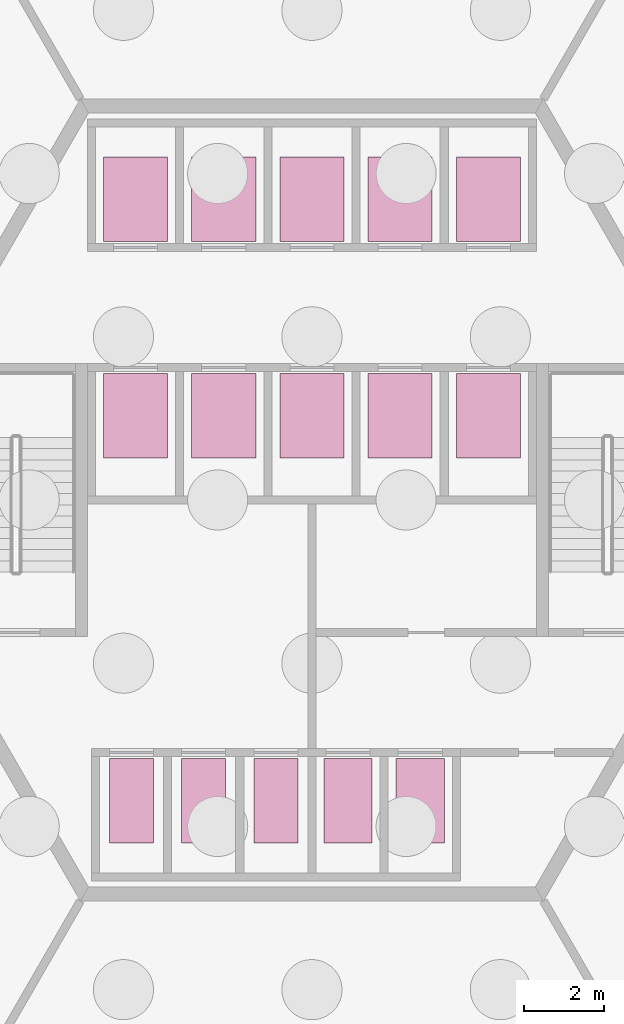
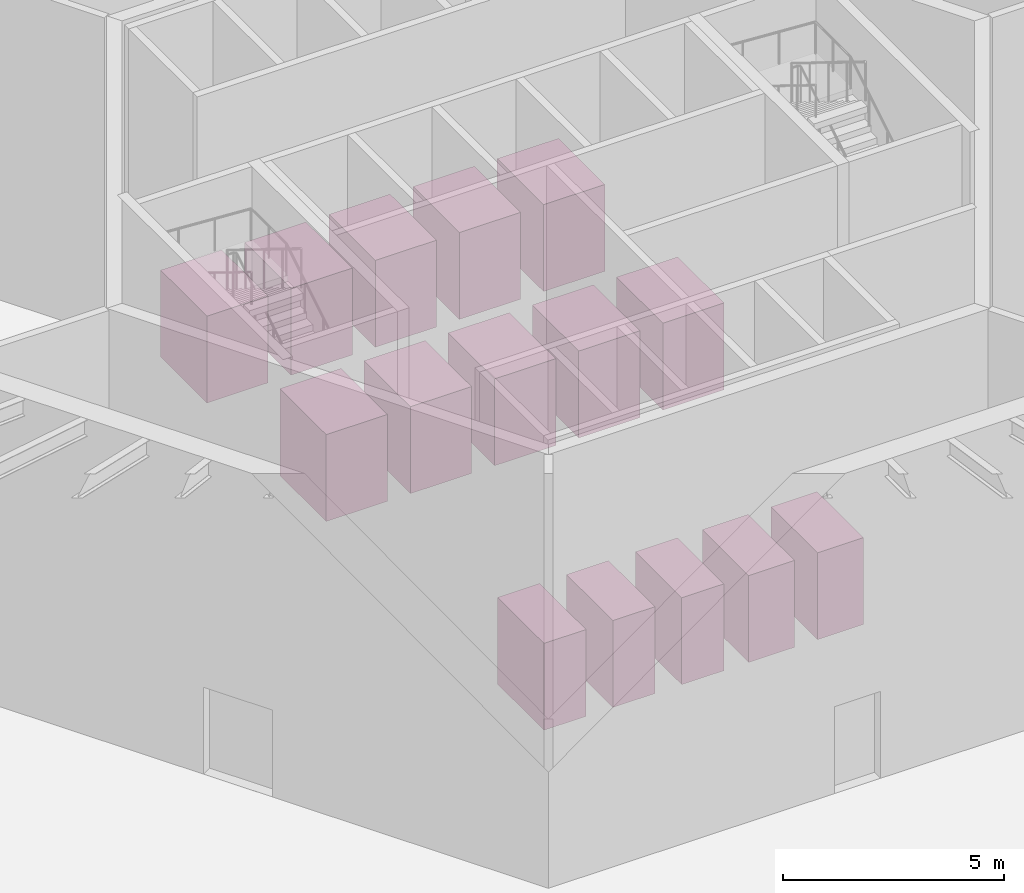
# One storey, part 43 of 43: 15 transport elements.
"""IFC4 building model written with IfcOpenShell, lengths in metres."""

from ifc_helpers import new_model, si_unit, direction, frame, origin, origin_2d, place, context, subcontext, project, spatial, rectangle, extrude, material, type_object, element, save


model = new_model("IFC4")

# Units and contexts
model_context = context("Model", 3, precision=1e-05, world=origin(), true_north=direction((0.0, 1.0)))
body_context = subcontext(model_context, "Body", "Model", "MODEL_VIEW")
ifc_project = project(units=[si_unit("LENGTHUNIT", "METRE"), si_unit("AREAUNIT", "SQUARE_METRE"), si_unit("VOLUMEUNIT", "CUBIC_METRE"), si_unit("PLANEANGLEUNIT", "RADIAN"), si_unit("MASSUNIT", "GRAM", prefix="KILO")], contexts=[model_context])

# Site, building, storey
site_placement = place(None, origin())
site = spatial("IfcSite", under=ifc_project, at=site_placement, CompositionType="ELEMENT")
building_placement = place(site_placement, origin())
building = spatial("IfcBuilding", under=site, at=building_placement, Name="Tarnside Tower", CompositionType="ELEMENT")
storey_placement = place(building_placement, origin())
storey = spatial("IfcBuildingStorey", under=building, at=storey_placement, Name="L00", CompositionType="ELEMENT", Elevation=0.0)

# Transport elements
ifc_material = material(Name="Stainless steel", Category="steel")
transport_element_type_1 = type_object("IfcTransportElementType", Name="Firefighting lift car 1100x2100 1000 kg", PredefinedType="ELEVATOR", material=ifc_material)
for number, where, z_axis, x_axis, name in (
    (1, (-4.5, -7.5, 0.0), (0.0, 0.0, 1.0), (1.0, 0.0, 0.0), "Firefighting lift 1"),
    (2, (-2.699951171875, -7.5, 0.0), (0.0, 0.0, 1.0), (1.0, 0.0, 0.0), "Firefighting lift 2"),
    (3, (-0.89990234375, -7.5, 0.0), (0.0, 0.0, 1.0), (1.0, 0.0, 0.0), "Firefighting lift 3"),
):
    element("IfcTransportElement", number, at=place(storey_placement, frame(where, z_axis=z_axis, x_axis=x_axis)), inside=storey, type_object=transport_element_type_1, Name=name, PredefinedType="ELEVATOR", context=body_context, shape_type="SweptSolid", body=[
        extrude(rectangle(XDim=1.10009765625, YDim=2.10009765625, at=origin_2d()), origin(), (0.0, 0.0, 1.0), 2.39990234375),
    ])
transport_element_type_2 = type_object("IfcTransportElementType", Name="Firefighting lift car 1200x2100 1000 kg", PredefinedType="ELEVATOR", material=ifc_material)
for number, where, z_axis, x_axis, name in (
    (4, (0.89990234375, -7.5, 0.0), (0.0, 0.0, 1.0), (1.0, 0.0, 0.0), "Firefighting lift 4"),
    (5, (2.699951171875, -7.5, 0.0), (0.0, 0.0, 1.0), (1.0, 0.0, 0.0), "Firefighting lift 5"),
):
    element("IfcTransportElement", number, at=place(storey_placement, frame(where, z_axis=z_axis, x_axis=x_axis)), inside=storey, type_object=transport_element_type_2, Name=name, PredefinedType="ELEVATOR", context=body_context, shape_type="SweptSolid", body=[
        extrude(rectangle(XDim=1.199951171875, YDim=2.10009765625, at=origin_2d()), origin(), (0.0, 0.0, 1.0), 2.39990234375),
    ])
transport_element_type_3 = type_object("IfcTransportElementType", Name="Passenger lift car 1600x2100 1600 kg", PredefinedType="ELEVATOR", material=ifc_material)
for number, where, z_axis, x_axis, name in (
    (6, (-4.39990234375, 7.5, 0.0), (0.0, 0.0, 1.0), (1.0, 0.0, 0.0), "Low-rise lift 1"),
    (7, (-2.199951171875, 7.5, 0.0), (0.0, 0.0, 1.0), (1.0, 0.0, 0.0), "Low-rise lift 2"),
    (8, (0.0, 7.5, 0.0), (0.0, 0.0, 1.0), (1.0, 0.0, 0.0), "Low-rise lift 3"),
    (9, (-4.39990234375, 2.10009765625, 0.0), (0.0, 0.0, 1.0), (1.0, 0.0, 0.0), "Low-rise lift 4"),
    (10, (-2.199951171875, 2.10009765625, 0.0), (0.0, 0.0, 1.0), (1.0, 0.0, 0.0), "Low-rise lift 5"),
    (11, (0.0, 2.10009765625, 0.0), (0.0, 0.0, 1.0), (1.0, 0.0, 0.0), "Low-rise lift 6"),
):
    element("IfcTransportElement", number, at=place(storey_placement, frame(where, z_axis=z_axis, x_axis=x_axis)), inside=storey, type_object=transport_element_type_3, Name=name, PredefinedType="ELEVATOR", context=body_context, shape_type="SweptSolid", body=[
        extrude(rectangle(XDim=1.60009765625, YDim=2.10009765625, at=origin_2d()), origin(), (0.0, 0.0, 1.0), 2.39990234375),
    ])
transport_element_type_4 = type_object("IfcTransportElementType", Name="Shuttle lift car 1600x2100 1600 kg", PredefinedType="ELEVATOR", material=ifc_material)
for number, where, z_axis, x_axis, name in (
    (12, (2.199951171875, 7.5, 0.0), (0.0, 0.0, 1.0), (1.0, 0.0, 0.0), "Low sky-lobby shuttle 1"),
    (13, (4.39990234375, 7.5, 0.0), (0.0, 0.0, 1.0), (1.0, 0.0, 0.0), "Low sky-lobby shuttle 2"),
    (14, (2.199951171875, 2.10009765625, 0.0), (0.0, 0.0, 1.0), (1.0, 0.0, 0.0), "High sky-lobby shuttle 1"),
    (15, (4.39990234375, 2.10009765625, 0.0), (0.0, 0.0, 1.0), (1.0, 0.0, 0.0), "Express sky-lobby shuttle 2"),
):
    element("IfcTransportElement", number, at=place(storey_placement, frame(where, z_axis=z_axis, x_axis=x_axis)), inside=storey, type_object=transport_element_type_4, Name=name, PredefinedType="ELEVATOR", context=body_context, shape_type="SweptSolid", body=[
        extrude(rectangle(XDim=1.60009765625, YDim=2.10009765625, at=origin_2d()), origin(), (0.0, 0.0, 1.0), 2.39990234375),
    ])

save(model, "model.ifc")
